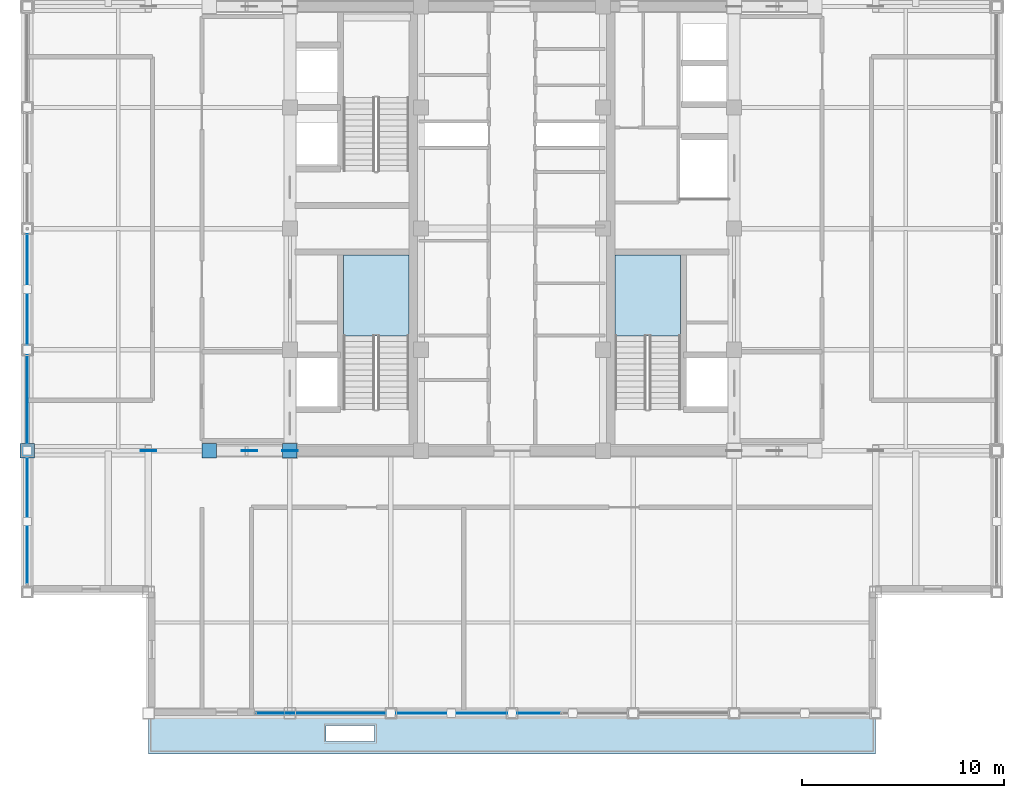
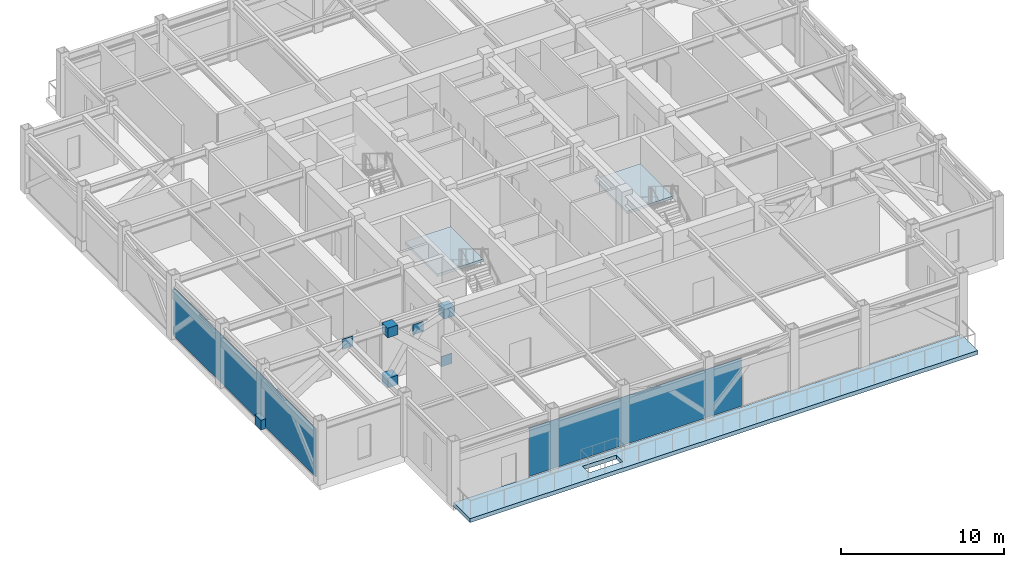
# One storey, part 23 of 32: 9 plates, 3 slabs, 4 elements without a shape of their own.
"""IFC4 building model written with IfcOpenShell, lengths in metres."""

from ifc_helpers import new_model, si_unit, direction, frame, origin, origin_2d, place, context, subcontext, project, spatial, polyline, rectangle, outline, extrude, source, transform, mapped, material, layer, layer_set, type_object, element, aggregate, save


model = new_model("IFC4")

# Units and contexts
model_context = context("Model", 3, precision=1e-05, world=origin(), true_north=direction((0.0, 1.0)))
body_context = subcontext(model_context, "Body", "Model", "MODEL_VIEW")
ifc_project = project(units=[si_unit("LENGTHUNIT", "METRE"), si_unit("AREAUNIT", "SQUARE_METRE"), si_unit("VOLUMEUNIT", "CUBIC_METRE"), si_unit("PLANEANGLEUNIT", "RADIAN"), si_unit("MASSUNIT", "GRAM", prefix="KILO")], contexts=[model_context])

# Site, building, storey
site_placement = place(None, origin())
site = spatial("IfcSite", under=ifc_project, at=site_placement, CompositionType="ELEMENT")
building_placement = place(site_placement, origin())
building = spatial("IfcBuilding", under=site, at=building_placement, Name="Khorayat Bourse Tower", CompositionType="ELEMENT")
storey_placement = place(building_placement, frame((0.0, 0.0, 375.5)))
storey = spatial("IfcBuildingStorey", under=building, at=storey_placement, Name="L89", CompositionType="ELEMENT", Elevation=375.5)

# Stair, slab
ifc_material_1 = material(Name="Concrete C40/50", Category="concrete")
stair_type = type_object("IfcStairType", Name="STR-CORE-1550", PredefinedType="HALF_TURN_STAIR", material=ifc_material_1)
stair_1_placement = place(storey_placement, origin())
stair_1 = element("IfcStair", 1, at=stair_1_placement, inside=storey, type_object=stair_type, Name="L89 Exit Stair ST-1", PredefinedType="HALF_TURN_STAIR")
ifc_layer_1 = layer(ifc_material_1, 0.199951171875)
ifc_layer_set_1 = layer_set([ifc_layer_1], Name="Concrete C40/50")
slab_type_1 = type_object("IfcSlabType", Name="SLB-LANDING-200", PredefinedType="LANDING", material=ifc_layer_set_1)
slab_1_placement = place(storey_placement, frame((0.0, 0.0, 2.199951171875)))
slab_1 = element("IfcSlab", 2, at=slab_1_placement, type_object=slab_type_1, Name="ST-1 landing 1", PredefinedType="LANDING", context=body_context, shape_type="SweptSolid", body=[
    extrude(outline(polyline([(-5.10009765625, -5.31005859375), (-5.10009765625, -1.300048828125), (-8.35009765625, -1.300048828125), (-8.35009765625, -5.31005859375), (-5.10009765625, -5.31005859375)])), origin(), (0.0, 0.0, 1.0), 0.199951171875),
])
aggregate(stair_1, [slab_1])

stair_2_placement = place(storey_placement, origin())
stair_2 = element("IfcStair", 3, at=stair_2_placement, inside=storey, type_object=stair_type, Name="L89 Exit Stair ST-3", PredefinedType="HALF_TURN_STAIR")
slab_2_placement = place(storey_placement, frame((0.0, 0.0, 2.199951171875)))
slab_2 = element("IfcSlab", 4, at=slab_2_placement, type_object=slab_type_1, Name="ST-3 landing 1", PredefinedType="LANDING", context=body_context, shape_type="SweptSolid", body=[
    extrude(outline(polyline([(8.35009765625, -5.31005859375), (8.35009765625, -1.300048828125), (5.10009765625, -1.300048828125), (5.10009765625, -5.31005859375), (8.35009765625, -5.31005859375)])), origin(), (0.0, 0.0, 1.0), 0.199951171875),
])
aggregate(stair_2, [slab_2])

# Slab
ifc_layer_2 = layer(ifc_material_1, 0.300048828125)
ifc_layer_set_2 = layer_set([ifc_layer_2], Name="Concrete C40/50")
slab_type_2 = type_object("IfcSlabType", Name="SLB-TERR-300", PredefinedType="FLOOR", material=ifc_layer_set_2)
slab_3_placement = place(storey_placement, frame((0.0, 0.0, -0.300048828125)))
element("IfcSlab", 5, at=slab_3_placement, inside=storey, type_object=slab_type_2, Name="L89 Planted Garden Terrace Slab 02", PredefinedType="FLOOR", context=body_context, shape_type="SweptSolid", body=[
    extrude(outline(polyline([(-18.0, -26.0), (18.0, -26.0), (18.0, -24.0), (-18.0, -24.0), (-18.0, -26.0)]), holes=[polyline([(-9.199951171875, -25.39990234375), (-6.800048828125, -25.39990234375), (-6.800048828125, -24.60009765625), (-9.199951171875, -24.60009765625), (-9.199951171875, -25.39990234375)])]), origin(), (0.0, 0.0, 1.0), 0.300048828125),
])

# Plates
ifc_material_2 = material(Name="Steel EN 10025-4 S460M", Category="steel")
ifc_layer_3 = layer(ifc_material_2, 0.0400390625)
ifc_layer_set_3 = layer_set([ifc_layer_3], Name="Steel EN 10025-4 S460M")
plate_type_1 = type_object("IfcPlateType", Name="PLT-GUSSET-40", PredefinedType="USERDEFINED", material=ifc_layer_set_3)
shared_shape_1 = source(origin(), body_context, "Body", "SweptSolid", [
    extrude(rectangle(XDim=0.760009765625, YDim=0.0400390625, at=origin_2d()), origin(), (0.0, 0.0, 1.0), 0.760009765625),
])
for number, where, z_axis, x_axis, name in (
    (6, (-11.0, -11.0, -0.02978515625), (0.0, 0.0, 1.0), (1.0, 0.0, 0.0), "L89 Outrigger Node Gusset Plate 01"),
    (7, (-18.0, -11.0, 3.72021484375), (0.0, 0.0, 1.0), (1.0, 0.0, 0.0), "L89 Outrigger Node Gusset Plate 03"),
    (8, (-13.0, -11.0, 3.06982421875), (0.0, 0.0, 1.0), (1.0, 0.0, 0.0), "L89 Outrigger X-Crossing Central Gusset Plate 05"),
):
    element("IfcPlate", number, at=place(storey_placement, frame(where, z_axis=z_axis, x_axis=x_axis)), inside=storey, type_object=plate_type_1, Name=name, ObjectType="GUSSET PLATE", PredefinedType="USERDEFINED", context=body_context, shape_type="MappedRepresentation", body=[
        mapped(shared_shape_1, transform((0.0, 0.0, 0.0), scale=1.0)),
    ])
ifc_layer_4 = layer(ifc_material_2, 0.031982421875)
ifc_layer_set_4 = layer_set([ifc_layer_4], Name="Steel EN 10025-4 S460M")
plate_type_2 = type_object("IfcPlateType", Name="PLT-GUSSET-32", PredefinedType="USERDEFINED", material=ifc_layer_set_4)
shared_shape_2 = source(origin(), body_context, "Body", "SweptSolid", [
    extrude(rectangle(XDim=0.719970703125, YDim=0.719970703125, at=origin_2d()), origin(), (0.0, 0.0, 1.0), 0.719970703125),
])
for number, where, z_axis, x_axis, name in (
    (9, (-15.0, -11.0, 3.740234375), (0.0, 0.0, 1.0), (1.0, 0.0, 0.0), "L89 Outrigger Node Gusset Plate 02"),
    (10, (-24.0, -11.0, -0.009765625), (0.0, 0.0, 1.0), (1.0, 0.0, 0.0), "L89 Outrigger Node Gusset Plate 04"),
    (11, (-11.0, -11.0, 3.740234375), (0.0, 0.0, 1.0), (1.0, 0.0, 0.0), "L89 Belt Web Sealed Node Block 06"),
    (12, (-15.0, -11.0, -0.009765625), (0.0, 0.0, 1.0), (1.0, 0.0, 0.0), "L89 Belt Web Sealed Node Block 07"),
):
    element("IfcPlate", number, at=place(storey_placement, frame(where, z_axis=z_axis, x_axis=x_axis)), inside=storey, type_object=plate_type_2, Name=name, ObjectType="GUSSET PLATE", PredefinedType="USERDEFINED", context=body_context, shape_type="MappedRepresentation", body=[
        mapped(shared_shape_2, transform((0.0, 0.0, 0.0), scale=1.0)),
    ])

# Curtain wall, plate
ifc_material_3 = material(Name="Aluminium EN AW-6063 T6", Category="aluminium")
curtain_wall_type = type_object("IfcCurtainWallType", Name="CW-SYS-07", PredefinedType="NOTDEFINED", material=ifc_material_3)
curtain_wall_1_placement = place(storey_placement, origin())
curtain_wall_1 = element("IfcCurtainWall", 13, at=curtain_wall_1_placement, inside=storey, type_object=curtain_wall_type, Name="L89 Curtain Wall CW-L89-S2", PredefinedType="NOTDEFINED")
ifc_material_4 = material(Name="Backlit ceramic-fritted lantern glass", Category="glass")
ifc_layer_5 = layer(ifc_material_4, 0.048095703125)
ifc_layer_set_5 = layer_set([ifc_layer_5], Name="Backlit ceramic-fritted lantern glass")
plate_type_3 = type_object("IfcPlateType", Name="CWP-LANTERN-04", PredefinedType="CURTAIN_PANEL", material=ifc_layer_set_5)
shared_shape_3 = source(origin(), body_context, "Body", "SweptSolid", [
    extrude(rectangle(XDim=15.050048828125, YDim=0.048095703125, at=origin_2d()), origin(), (0.0, 0.0, 1.0), 3.6201171875),
])
plate_1_placement = place(storey_placement, frame((-5.125, -24.0, 0.08984375), z_axis=(0.0, 0.0, 1.0), x_axis=(1.0, 0.0, 0.0)))
plate_1 = element("IfcPlate", 14, at=plate_1_placement, type_object=plate_type_3, Name="CW-L89-S2 Vision Panel 1-1", PredefinedType="CURTAIN_PANEL", context=body_context, shape_type="MappedRepresentation", body=[
    mapped(shared_shape_3, transform((0.0, 0.0, 0.0), scale=1.0)),
])
aggregate(curtain_wall_1, [plate_1])

curtain_wall_2_placement = place(storey_placement, origin())
curtain_wall_2 = element("IfcCurtainWall", 15, at=curtain_wall_2_placement, inside=storey, type_object=curtain_wall_type, Name="L89 Curtain Wall CW-L89-W1", PredefinedType="NOTDEFINED")
shared_shape_4 = source(origin(), body_context, "Body", "SweptSolid", [
    extrude(rectangle(XDim=17.5, YDim=0.048095703125, at=origin_2d()), origin(), (0.0, 0.0, 1.0), 3.6201171875),
])
plate_2_placement = place(storey_placement, frame((-24.0, -8.800048828125, 0.08984375), z_axis=(0.0, 0.0, 1.0), x_axis=(0.0, 1.0, 0.0)))
plate_2 = element("IfcPlate", 16, at=plate_2_placement, type_object=plate_type_3, Name="CW-L89-W1 Vision Panel 1-1", PredefinedType="CURTAIN_PANEL", context=body_context, shape_type="MappedRepresentation", body=[
    mapped(shared_shape_4, transform((0.0, 0.0, 0.0), scale=1.0)),
])
aggregate(curtain_wall_2, [plate_2])

save(model, "model.ifc")
